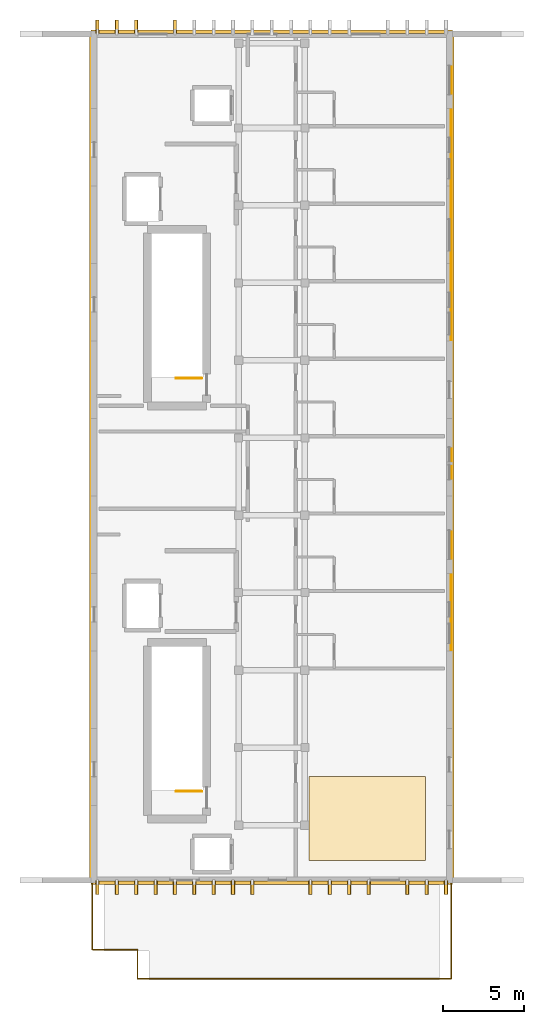
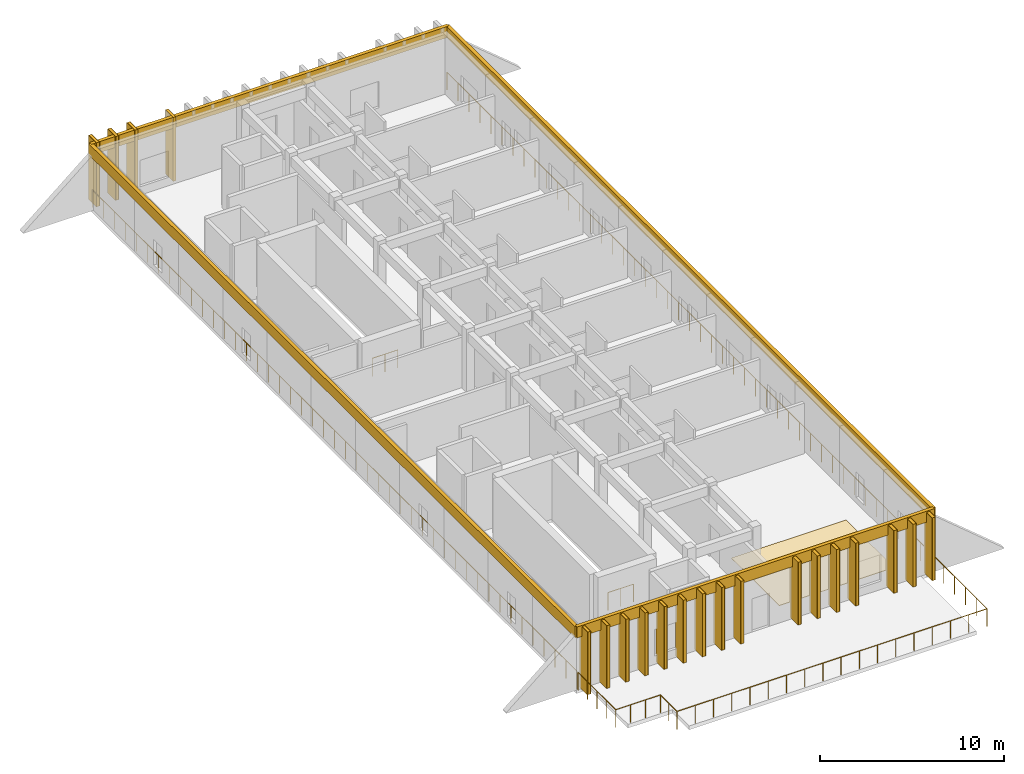
# One storey, part 6 of 7: 24 coverings, 20 shading devices, 5 railings.
"""IFC4 building model written with IfcOpenShell, lengths in metres."""

import ifcopenshell
import ifcopenshell.guid

model = None  # the IFC model being written
_history = None  # IfcOwnerHistory: only IFC2X3 demands one
_inside = {}  # id of a spatial element -> (the spatial element, [elements in it])
_under = {}  # id of a project, library or spatial element -> (it, [spatial elements below it])
_declared = {}  # id of a project -> (the project, [libraries it declares])
_typed = {}  # id of a type object -> (the type object, [elements of that type])
_made_of = {}  # id of a material, layer set ... -> (it, [elements and type objects made of it])


def new_model(schema):
    """Start an empty IFC model of exactly this schema.

    Asked for "IFC4X3", IfcOpenShell would pick the latest addendum, in which some entities
    have other attributes; the version numbers below select the first issue.
    IFC2X3 requires an IfcOwnerHistory on every rooted entity: one is made here for all.
    """
    global model, _history
    if schema == "IFC4X3":
        model = ifcopenshell.file(schema_version=(4, 3, 0, 0))
    else:
        model = ifcopenshell.file(schema=schema)
    _inside.clear()
    _under.clear()
    _declared.clear()
    _typed.clear()
    _made_of.clear()
    _history = None
    if model.schema == "IFC2X3":
        org = make("IfcOrganization", Name="unknown")
        user = make(
            "IfcPersonAndOrganization",
            ThePerson=make("IfcPerson", FamilyName="unknown"),
            TheOrganization=org,
        )
        app = make(
            "IfcApplication",
            ApplicationDeveloper=org,
            Version="unknown",
            ApplicationFullName="unknown",
            ApplicationIdentifier="unknown",
        )
        _history = make(
            "IfcOwnerHistory",
            OwningUser=user,
            OwningApplication=app,
            ChangeAction="ADDED",
            CreationDate=0,
        )
    return model


def make(cls, **values):
    """One entity of the class cls with the attributes given. An attribute that is None is left unset."""
    return model.create_entity(
        cls, **{name: value for name, value in values.items() if value is not None}
    )


def rooted(cls, **values):
    """An entity with a GlobalId (a new one), such as an element, a storey or a relation."""
    return make(cls, GlobalId=ifcopenshell.guid.new(), OwnerHistory=_history, **values)


def si_unit(unit_type, name, prefix=None):
    """IfcSIUnit, for example si_unit("LENGTHUNIT", "METRE", prefix="MILLI")."""
    return make("IfcSIUnit", UnitType=unit_type, Prefix=prefix, Name=name)


def assignment(units):
    """IfcUnitAssignment: the units of a project."""
    return None if units is None else make("IfcUnitAssignment", Units=units)


def point(xyz):
    """IfcCartesianPoint."""
    return None if xyz is None else make("IfcCartesianPoint", Coordinates=xyz)


def direction(xyz):
    """IfcDirection."""
    return None if xyz is None else make("IfcDirection", DirectionRatios=xyz)


def frame(location, z_axis=None, x_axis=None):
    """IfcAxis2Placement3D, a coordinate frame: its origin and axes. An axis left out is left unset."""
    return make(
        "IfcAxis2Placement3D",
        Location=point(location),
        Axis=direction(z_axis),
        RefDirection=direction(x_axis),
    )


def frame_2d(location, x_axis=None):
    """IfcAxis2Placement2D, a coordinate frame in the plane: its origin and x axis."""
    return make(
        "IfcAxis2Placement2D", Location=point(location), RefDirection=direction(x_axis)
    )


def origin():
    """The frame at (0, 0, 0) with its axes left unset."""
    return frame((0.0, 0.0, 0.0))


def origin_2d():
    """The frame at (0, 0) in the plane with its x axis left unset."""
    return frame_2d((0.0, 0.0))


def place(relative_to, where):
    """IfcLocalPlacement: puts the frame where relative to a parent placement (None: the world)."""
    return make(
        "IfcLocalPlacement", PlacementRelTo=relative_to, RelativePlacement=where
    )


def context(
    kind, dimensions, precision=None, world=None, true_north=None, identifier=None
):
    """IfcGeometricRepresentationContext, for example the 3D "Model" context."""
    return make(
        "IfcGeometricRepresentationContext",
        ContextIdentifier=identifier,
        ContextType=kind,
        CoordinateSpaceDimension=dimensions,
        Precision=precision,
        WorldCoordinateSystem=world,
        TrueNorth=true_north,
    )


def subcontext(parent, identifier, kind, view, scale=None):
    """IfcGeometricRepresentationSubContext, for example "Body" below "Model"."""
    return make(
        "IfcGeometricRepresentationSubContext",
        ContextIdentifier=identifier,
        ContextType=kind,
        ParentContext=parent,
        TargetScale=scale,
        TargetView=view,
    )


def project(units=None, contexts=None):
    """IfcProject with its units and contexts."""
    return rooted(
        "IfcProject",
        Name="project",
        RepresentationContexts=contexts,
        UnitsInContext=assignment(units),
    )


def spatial(cls, under=None, at=None, **own):
    """A site, building, storey or space (cls), placed at a placement, below another one or the project."""
    s = rooted(cls, ObjectPlacement=at, **own)
    if under is not None:
        _under.setdefault(under.id(), (under, []))[1].append(s)
    return s


def polyline(points):
    """IfcPolyline through the points."""
    return make("IfcPolyline", Points=[point(p) for p in points])


def profile(cls, at=None, kind="AREA", **sizes):
    """A parametric profile (cls). Its sizes go by their IFC names, for example OverallWidth=200.0."""
    return make(cls, ProfileType=kind, Position=at, **sizes)


def rectangle(**sizes):
    """IfcRectangleProfileDef."""
    return profile("IfcRectangleProfileDef", **sizes)


def circle(**sizes):
    """IfcCircleProfileDef."""
    return profile("IfcCircleProfileDef", **sizes)


def outline(outer, holes=None, kind="AREA"):
    """IfcArbitraryClosedProfileDef: a profile drawn as a closed curve; with holes, ...WithVoids."""
    if holes is None:
        return make("IfcArbitraryClosedProfileDef", ProfileType=kind, OuterCurve=outer)
    return make(
        "IfcArbitraryProfileDefWithVoids",
        ProfileType=kind,
        OuterCurve=outer,
        InnerCurves=holes,
    )


def extrude(swept, where, along, depth):
    """IfcExtrudedAreaSolid: the profile swept, set in the frame where, extruded along a direction by depth."""
    return make(
        "IfcExtrudedAreaSolid",
        SweptArea=swept,
        Position=where,
        ExtrudedDirection=direction(along),
        Depth=depth,
    )


def shape(context_of_items, identifier, shape_type, items):
    """IfcShapeRepresentation: the items that make up one representation, for example the "Body"."""
    return make(
        "IfcShapeRepresentation",
        ContextOfItems=context_of_items,
        RepresentationIdentifier=identifier,
        RepresentationType=shape_type,
        Items=items,
    )


def material(Name=None, Category=None):
    """IfcMaterial."""
    return make("IfcMaterial", Name=Name, Category=Category)


def layer(
    of_material, thickness, ventilated=None, Name=None, Category=None, Priority=None
):
    """IfcMaterialLayer: one layer of a wall or slab, of a material (None: an air gap)."""
    return make(
        "IfcMaterialLayer",
        Material=of_material,
        LayerThickness=thickness,
        IsVentilated=ventilated,
        Name=Name,
        Category=Category,
        Priority=Priority,
    )


def layer_set(layers, Name=None):
    """IfcMaterialLayerSet."""
    return make("IfcMaterialLayerSet", MaterialLayers=layers, LayerSetName=Name)


def made_of(thing, what):
    """Note that an element or type object is made of a material, layer set ...; save() writes the relation."""
    if what is not None:
        _made_of.setdefault(what.id(), (what, []))[1].append(thing)
    return thing


def type_object(cls, material=None, **own):
    """A type object (cls), such as IfcWallType, which elements share."""
    return made_of(rooted(cls, **own), material)


def element(
    cls,
    number,
    at=None,
    inside=None,
    cuts=None,
    type_object=None,
    material=None,
    context=None,
    identifier="Body",
    shape_type=None,
    held_by="IfcProductDefinitionShape",
    body=None,
    shapes=None,
    **own,
):
    """One element of the class cls, such as IfcWall. Its Tag is "e" and its number.

    at: its placement. inside: the storey or other place that contains it. cuts: it is an
    opening in that element (IfcRelVoidsElement). A single representation is given by context,
    identifier, shape_type and body (its items); several are given by shapes. held_by: the class
    of the entity that holds the representations. save() writes the other relations.
    """
    e = rooted(cls, Tag="e%d" % number, ObjectPlacement=at, **own)
    if body is not None:
        shapes = [shape(context, identifier, shape_type, body)]
    if shapes is not None:
        e.Representation = make(held_by, Representations=shapes)
    if inside is not None:
        _inside.setdefault(inside.id(), (inside, []))[1].append(e)
    if cuts is not None:
        rooted(
            "IfcRelVoidsElement", RelatingBuildingElement=cuts, RelatedOpeningElement=e
        )
    if type_object is not None:
        _typed.setdefault(type_object.id(), (type_object, []))[1].append(e)
    return made_of(e, material)


def aggregate(whole, parts):
    """IfcRelAggregates: a whole, such as a stair, and the parts it consists of."""
    return rooted("IfcRelAggregates", RelatingObject=whole, RelatedObjects=parts)


def save(model, path):
    """Write the relations noted so far, then the file.

    IfcRelAggregates (storeys below a building ...), IfcRelContainedInSpatialStructure (elements
    in a storey), IfcRelDefinesByType, IfcRelAssociatesMaterial and IfcRelDeclares: one each for
    every whole, place, type object, material and project.
    """
    for whole, parts in _under.values():
        aggregate(whole, parts)
    for where, things in _inside.values():
        rooted(
            "IfcRelContainedInSpatialStructure",
            RelatedElements=things,
            RelatingStructure=where,
        )
    for kind, things in _typed.values():
        rooted("IfcRelDefinesByType", RelatedObjects=things, RelatingType=kind)
    for what, things in _made_of.values():
        rooted("IfcRelAssociatesMaterial", RelatedObjects=things, RelatingMaterial=what)
    for by, libraries in _declared.values():
        rooted("IfcRelDeclares", RelatingContext=by, RelatedDefinitions=libraries)
    model.write(path)


model = new_model("IFC4")

# Units and contexts
model_context = context("Model", 3, precision=1e-05, world=origin(), true_north=direction((0.0, 1.0)))
body_context = subcontext(model_context, "Body", "Model", "MODEL_VIEW")
ifc_project = project(units=[si_unit("LENGTHUNIT", "METRE"), si_unit("AREAUNIT", "SQUARE_METRE"), si_unit("VOLUMEUNIT", "CUBIC_METRE"), si_unit("PLANEANGLEUNIT", "RADIAN"), si_unit("MASSUNIT", "GRAM", prefix="KILO")], contexts=[model_context])

# Site, building, storey
site_placement = place(None, origin())
site = spatial("IfcSite", under=ifc_project, at=site_placement, CompositionType="ELEMENT")
building_placement = place(site_placement, origin())
building = spatial("IfcBuilding", under=site, at=building_placement, Name="Nakhvara Creek Congress Hotel", CompositionType="ELEMENT")
storey_placement = place(building_placement, frame((0.0, 0.0, 50.39990234375)))
storey = spatial("IfcBuildingStorey", under=building, at=storey_placement, Name="L12", CompositionType="ELEMENT", Elevation=50.39990234375)

# Coverings
ifc_material_1 = material(Name="Honed pale Omani limestone architectural cladding", Category="masonry")
ifc_layer_1 = layer(ifc_material_1, 0.219970703125)
ifc_layer_set_1 = layer_set([ifc_layer_1], Name="Honed pale Omani limestone architectural cladding")
covering_type_1 = type_object("IfcCoveringType", Name="COV-FIN-850", PredefinedType="CLADDING", material=ifc_layer_set_1)
covering_1_placement = place(storey_placement, frame((153.60009765625, 126.264892578125, 0.0), z_axis=(0.0, 0.0, 1.0), x_axis=(1.0, 0.0, 0.0)))
element("IfcCovering", 1, at=covering_1_placement, inside=storey, type_object=covering_type_1, Name="Pale Limestone Fin Cladding CF01-2579", PredefinedType="CLADDING", context=body_context, shape_type="SweptSolid", body=[
    extrude(rectangle(XDim=0.219970703125, YDim=0.85009765625, at=origin_2d()), origin(), (0.0, 0.0, 1.0), 4.239990234375),
])
covering_2_placement = place(storey_placement, frame((153.60009765625, 72.93505859375, 0.0), z_axis=(0.0, 0.0, 1.0), x_axis=(1.0, 0.0, 0.0)))
element("IfcCovering", 2, at=covering_2_placement, inside=storey, type_object=covering_type_1, Name="Pale Limestone Fin Cladding CF01-2580", PredefinedType="CLADDING", context=body_context, shape_type="SweptSolid", body=[
    extrude(rectangle(XDim=0.219970703125, YDim=0.85009765625, at=origin_2d()), origin(), (0.0, 0.0, 1.0), 4.159912109375),
])
covering_3_placement = place(storey_placement, frame((154.800048828125, 126.264892578125, 0.0), z_axis=(0.0, 0.0, 1.0), x_axis=(1.0, 0.0, 0.0)))
element("IfcCovering", 3, at=covering_3_placement, inside=storey, type_object=covering_type_1, Name="Pale Limestone Fin Cladding CF01-2581", PredefinedType="CLADDING", context=body_context, shape_type="SweptSolid", body=[
    extrude(rectangle(XDim=0.219970703125, YDim=0.85009765625, at=origin_2d()), origin(), (0.0, 0.0, 1.0), 4.239990234375),
])
covering_4_placement = place(storey_placement, frame((154.800048828125, 72.93505859375, 0.0), z_axis=(0.0, 0.0, 1.0), x_axis=(1.0, 0.0, 0.0)))
element("IfcCovering", 4, at=covering_4_placement, inside=storey, type_object=covering_type_1, Name="Pale Limestone Fin Cladding CF01-2582", PredefinedType="CLADDING", context=body_context, shape_type="SweptSolid", body=[
    extrude(rectangle(XDim=0.219970703125, YDim=0.85009765625, at=origin_2d()), origin(), (0.0, 0.0, 1.0), 4.159912109375),
])
covering_5_placement = place(storey_placement, frame((156.0, 126.264892578125, 0.0), z_axis=(0.0, 0.0, 1.0), x_axis=(1.0, 0.0, 0.0)))
element("IfcCovering", 5, at=covering_5_placement, inside=storey, type_object=covering_type_1, Name="Pale Limestone Fin Cladding CF01-2583", PredefinedType="CLADDING", context=body_context, shape_type="SweptSolid", body=[
    extrude(rectangle(XDim=0.219970703125, YDim=0.85009765625, at=origin_2d()), origin(), (0.0, 0.0, 1.0), 4.239990234375),
])
for number, where, z_axis, x_axis, name in (
    (6, (156.0, 72.93505859375, 0.0), (0.0, 0.0, 1.0), (1.0, 0.0, 0.0), "Pale Limestone Fin Cladding CF01-2584"),
    (7, (157.199951171875, 72.93505859375, 0.0), (0.0, 0.0, 1.0), (1.0, 0.0, 0.0), "Pale Limestone Fin Cladding CF01-2585"),
    (8, (158.39990234375, 72.93505859375, 0.0), (0.0, 0.0, 1.0), (1.0, 0.0, 0.0), "Pale Limestone Fin Cladding CF01-2587"),
    (9, (159.60009765625, 72.93505859375, 0.0), (0.0, 0.0, 1.0), (1.0, 0.0, 0.0), "Pale Limestone Fin Cladding CF01-2589"),
    (10, (160.800048828125, 72.93505859375, 0.0), (0.0, 0.0, 1.0), (1.0, 0.0, 0.0), "Pale Limestone Fin Cladding CF01-2591"),
    (11, (162.0, 72.93505859375, 0.0), (0.0, 0.0, 1.0), (1.0, 0.0, 0.0), "Pale Limestone Fin Cladding CF01-2593"),
    (12, (163.199951171875, 72.93505859375, 0.0), (0.0, 0.0, 1.0), (1.0, 0.0, 0.0), "Pale Limestone Fin Cladding CF01-2595"),
    (13, (166.800048828125, 72.93505859375, 0.0), (0.0, 0.0, 1.0), (1.0, 0.0, 0.0), "Pale Limestone Fin Cladding CF01-2599"),
    (14, (168.0, 72.93505859375, 0.0), (0.0, 0.0, 1.0), (1.0, 0.0, 0.0), "Pale Limestone Fin Cladding CF01-2601"),
    (15, (169.199951171875, 72.93505859375, 0.0), (0.0, 0.0, 1.0), (1.0, 0.0, 0.0), "Pale Limestone Fin Cladding CF01-2603"),
    (16, (170.39990234375, 72.93505859375, 0.0), (0.0, 0.0, 1.0), (1.0, 0.0, 0.0), "Pale Limestone Fin Cladding CF01-2604"),
    (17, (172.800048828125, 72.93505859375, 0.0), (0.0, 0.0, 1.0), (1.0, 0.0, 0.0), "Pale Limestone Fin Cladding CF01-2607"),
    (18, (174.0, 72.93505859375, 0.0), (0.0, 0.0, 1.0), (1.0, 0.0, 0.0), "Pale Limestone Fin Cladding CF01-2609"),
    (19, (175.199951171875, 72.93505859375, 0.0), (0.0, 0.0, 1.0), (1.0, 0.0, 0.0), "Pale Limestone Fin Cladding CF01-2611"),
):
    element("IfcCovering", number, at=place(storey_placement, frame(where, z_axis=z_axis, x_axis=x_axis)), inside=storey, type_object=covering_type_1, Name=name, PredefinedType="CLADDING", context=body_context, shape_type="SweptSolid", body=[
        extrude(rectangle(XDim=0.219970703125, YDim=0.85009765625, at=origin_2d()), origin(), (0.0, 0.0, 1.0), 4.159912109375),
    ])
ifc_material_2 = material(Name="Honed limestone and terrazzo acoustic floor finish", Category="masonry")
ifc_layer_2 = layer(ifc_material_2, 0.044921875)
ifc_layer_set_2 = layer_set([ifc_layer_2], Name="Honed limestone and terrazzo acoustic floor finish")
covering_type_2 = type_object("IfcCoveringType", Name="COV-FLR-TER", PredefinedType="FLOORING", material=ifc_layer_set_2)
covering_6_placement = place(storey_placement, origin())
element("IfcCovering", 20, at=covering_6_placement, inside=storey, type_object=covering_type_2, Name="Floor Finish L12-LNG-01", PredefinedType="FLOORING", context=body_context, shape_type="SweptSolid", body=[
    extrude(outline(polyline([(166.719970703125, 74.60009765625), (173.919921875, 74.60009765625), (173.919921875, 79.800048828125), (166.719970703125, 79.800048828125), (166.719970703125, 74.60009765625)])), origin(), (0.0, 0.0, 1.0), 0.030029296875),
])
ifc_layer_3 = layer(ifc_material_1, 0.179931640625)
ifc_layer_set_3 = layer_set([ifc_layer_3], Name="Honed pale Omani limestone architectural cladding")
covering_type_3 = type_object("IfcCoveringType", Name="COV-SPN-180", PredefinedType="CLADDING", material=ifc_layer_set_3)
for number, where, z_axis, x_axis, name in (
    (21, (175.590087890625, 99.60009765625, 3.510009765625), (0.0, 0.0, 1.0), (0.0, 1.0, 0.0), "Pale Limestone Spandrel Band CF02-0089"),
    (22, (153.2099609375, 99.60009765625, 3.510009765625), (0.0, 0.0, 1.0), (0.0, 1.0, 0.0), "Pale Limestone Spandrel Band CF02-0090"),
):
    element("IfcCovering", number, at=place(storey_placement, frame(where, z_axis=z_axis, x_axis=x_axis)), inside=storey, type_object=covering_type_3, Name=name, PredefinedType="CLADDING", context=body_context, shape_type="SweptSolid", body=[
        extrude(rectangle(XDim=52.800048828125, YDim=0.219970703125, at=origin_2d()), origin(), (0.0, 0.0, 1.0), 0.72998046875),
    ])
for number, where, z_axis, x_axis, name in (
    (23, (164.39990234375, 125.969970703125, 3.510009765625), (0.0, 0.0, 1.0), (1.0, 0.0, 0.0), "Pale Limestone Spandrel Band CF02-0091"),
    (24, (164.39990234375, 73.22998046875, 3.510009765625), (0.0, 0.0, 1.0), (1.0, 0.0, 0.0), "Pale Limestone Spandrel Band CF02-0092"),
):
    element("IfcCovering", number, at=place(storey_placement, frame(where, z_axis=z_axis, x_axis=x_axis)), inside=storey, type_object=covering_type_3, Name=name, PredefinedType="CLADDING", context=body_context, shape_type="SweptSolid", body=[
        extrude(rectangle(XDim=22.39990234375, YDim=0.219970703125, at=origin_2d()), origin(), (0.0, 0.0, 1.0), 0.72998046875),
    ])

# Railings
ifc_material_3 = material(Name="Bronze-anodised aluminium and laminated safety glass balustrade", Category="aluminium")
railing_type_1 = type_object("IfcRailingType", Name="RL-BALUS-1200", PredefinedType="BALUSTRADE", material=ifc_material_3)
railing_1_placement = place(storey_placement, frame((153.280029296875, 73.159912109375, 0.0)))
element("IfcRailing", 25, at=railing_1_placement, inside=storey, type_object=railing_type_1, Name="Terrace Balustrade GR02-L12-010", PredefinedType="BALUSTRADE", context=body_context, shape_type="SweptSolid", body=[
    extrude(circle(Radius=0.02392578125, at=origin_2d()), frame((0.0, -0.0146484375, 1.17578125), z_axis=(0.0, -1.0, 0.0), x_axis=(1.0, 0.0, 0.0)), (0.0, 0.0, 1.0), 4.050537109375),
    extrude(circle(Radius=0.02392578125, at=origin_2d()), frame((0.0146484375, -4.079833984375, 1.17578125), z_axis=(1.0, 0.0, 0.0), x_axis=(0.0, 1.0, 0.0)), (0.0, 0.0, 1.0), 2.770751953125),
    extrude(circle(Radius=0.02392578125, at=origin_2d()), frame((2.800048828125, -4.094482421875, 1.17578125), z_axis=(0.0, -1.0, 0.0), x_axis=(1.0, 0.0, 0.0)), (0.0, 0.0, 1.0), 1.770751953125),
    extrude(circle(Radius=0.02392578125, at=origin_2d()), frame((2.814697265625, -5.8798828125, 1.17578125), z_axis=(1.0, 0.0, 0.0), x_axis=(0.0, 1.0, 0.0)), (0.0, 0.0, 1.0), 19.41064453125),
    extrude(circle(Radius=0.02392578125, at=origin_2d()), frame((22.239990234375, -5.865234375, 1.17578125), z_axis=(0.0, 1.0, 0.0), x_axis=(-1.0, 0.0, 0.0)), (0.0, 0.0, 1.0), 5.8505859375),
    extrude(circle(Radius=0.02099609375, at=origin_2d()), origin(), (0.0, 0.0, 1.0), 1.1806640625),
    extrude(circle(Radius=0.02099609375, at=origin_2d()), frame((0.0, -1.02001953125, 0.0)), (0.0, 0.0, 1.0), 1.1806640625),
    extrude(circle(Radius=0.02099609375, at=origin_2d()), frame((0.0, -2.0400390625, 0.0)), (0.0, 0.0, 1.0), 1.1806640625),
    extrude(circle(Radius=0.02099609375, at=origin_2d()), frame((0.0, -3.059814453125, 0.0)), (0.0, 0.0, 1.0), 1.1806640625),
    extrude(circle(Radius=0.02099609375, at=origin_2d()), frame((0.0, -4.079833984375, 0.0)), (0.0, 0.0, 1.0), 1.1806640625),
    extrude(circle(Radius=0.02099609375, at=origin_2d()), frame((0.933349609375, -4.079833984375, 0.0)), (0.0, 0.0, 1.0), 1.1806640625),
    extrude(circle(Radius=0.02099609375, at=origin_2d()), frame((1.86669921875, -4.079833984375, 0.0)), (0.0, 0.0, 1.0), 1.1806640625),
    extrude(circle(Radius=0.02099609375, at=origin_2d()), frame((2.800048828125, -4.079833984375, 0.0)), (0.0, 0.0, 1.0), 1.1806640625),
    extrude(circle(Radius=0.02099609375, at=origin_2d()), frame((2.800048828125, -4.97998046875, 0.0)), (0.0, 0.0, 1.0), 1.1806640625),
    extrude(circle(Radius=0.02099609375, at=origin_2d()), frame((2.800048828125, -5.8798828125, 0.0)), (0.0, 0.0, 1.0), 1.1806640625),
    extrude(circle(Radius=0.02099609375, at=origin_2d()), frame((3.943603515625, -5.8798828125, 0.0)), (0.0, 0.0, 1.0), 1.1806640625),
    extrude(circle(Radius=0.02099609375, at=origin_2d()), frame((5.087158203125, -5.8798828125, 0.0)), (0.0, 0.0, 1.0), 1.1806640625),
    extrude(circle(Radius=0.02099609375, at=origin_2d()), frame((6.230712890625, -5.8798828125, 0.0)), (0.0, 0.0, 1.0), 1.1806640625),
    extrude(circle(Radius=0.02099609375, at=origin_2d()), frame((7.374267578125, -5.8798828125, 0.0)), (0.0, 0.0, 1.0), 1.1806640625),
    extrude(circle(Radius=0.02099609375, at=origin_2d()), frame((8.517578125, -5.8798828125, 0.0)), (0.0, 0.0, 1.0), 1.1806640625),
    extrude(circle(Radius=0.02099609375, at=origin_2d()), frame((9.6611328125, -5.8798828125, 0.0)), (0.0, 0.0, 1.0), 1.1806640625),
    extrude(circle(Radius=0.02099609375, at=origin_2d()), frame((10.8046875, -5.8798828125, 0.0)), (0.0, 0.0, 1.0), 1.1806640625),
    extrude(circle(Radius=0.02099609375, at=origin_2d()), frame((11.9482421875, -5.8798828125, 0.0)), (0.0, 0.0, 1.0), 1.1806640625),
    extrude(circle(Radius=0.02099609375, at=origin_2d()), frame((13.091796875, -5.8798828125, 0.0)), (0.0, 0.0, 1.0), 1.1806640625),
    extrude(circle(Radius=0.02099609375, at=origin_2d()), frame((14.2353515625, -5.8798828125, 0.0)), (0.0, 0.0, 1.0), 1.1806640625),
    extrude(circle(Radius=0.02099609375, at=origin_2d()), frame((15.37890625, -5.8798828125, 0.0)), (0.0, 0.0, 1.0), 1.1806640625),
    extrude(circle(Radius=0.02099609375, at=origin_2d()), frame((16.5224609375, -5.8798828125, 0.0)), (0.0, 0.0, 1.0), 1.1806640625),
    extrude(circle(Radius=0.02099609375, at=origin_2d()), frame((17.665771484375, -5.8798828125, 0.0)), (0.0, 0.0, 1.0), 1.1806640625),
    extrude(circle(Radius=0.02099609375, at=origin_2d()), frame((18.809326171875, -5.8798828125, 0.0)), (0.0, 0.0, 1.0), 1.1806640625),
    extrude(circle(Radius=0.02099609375, at=origin_2d()), frame((19.952880859375, -5.8798828125, 0.0)), (0.0, 0.0, 1.0), 1.1806640625),
    extrude(circle(Radius=0.02099609375, at=origin_2d()), frame((21.096435546875, -5.8798828125, 0.0)), (0.0, 0.0, 1.0), 1.1806640625),
    extrude(circle(Radius=0.02099609375, at=origin_2d()), frame((22.239990234375, -5.8798828125, 0.0)), (0.0, 0.0, 1.0), 1.1806640625),
    extrude(circle(Radius=0.02099609375, at=origin_2d()), frame((22.239990234375, -4.703857421875, 0.0)), (0.0, 0.0, 1.0), 1.1806640625),
    extrude(circle(Radius=0.02099609375, at=origin_2d()), frame((22.239990234375, -3.52783203125, 0.0)), (0.0, 0.0, 1.0), 1.1806640625),
    extrude(circle(Radius=0.02099609375, at=origin_2d()), frame((22.239990234375, -2.35205078125, 0.0)), (0.0, 0.0, 1.0), 1.1806640625),
    extrude(circle(Radius=0.02099609375, at=origin_2d()), frame((22.239990234375, -1.176025390625, 0.0)), (0.0, 0.0, 1.0), 1.1806640625),
    extrude(circle(Radius=0.02099609375, at=origin_2d()), frame((22.239990234375, 0.0, 0.0)), (0.0, 0.0, 1.0), 1.1806640625),
])
ifc_material_4 = material(Name="Brushed stainless steel 316L", Category="steel")
railing_type_2 = type_object("IfcRailingType", Name="RL-GUARD-1200", PredefinedType="GUARDRAIL", material=ifc_material_4)
railing_2_placement = place(storey_placement, frame((175.52001953125, 73.280029296875, 0.0)))
element("IfcRailing", 26, at=railing_2_placement, inside=storey, type_object=railing_type_2, Name="Perimeter Safety Rail East L12", PredefinedType="GUARDRAIL", context=body_context, shape_type="SweptSolid", body=[
    extrude(circle(Radius=0.02392578125, at=origin_2d()), frame((0.0, 0.0146484375, 1.17578125), z_axis=(0.0, 1.0, 0.0), x_axis=(-1.0, 0.0, 0.0)), (0.0, 0.0, 1.0), 52.610595703125),
    extrude(circle(Radius=0.02099609375, at=origin_2d()), origin(), (0.0, 0.0, 1.0), 1.1806640625),
    extrude(circle(Radius=0.02099609375, at=origin_2d()), frame((0.0, 1.1962890625, 0.0)), (0.0, 0.0, 1.0), 1.1806640625),
    extrude(circle(Radius=0.02099609375, at=origin_2d()), frame((0.0, 2.392822265625, 0.0)), (0.0, 0.0, 1.0), 1.1806640625),
    extrude(circle(Radius=0.02099609375, at=origin_2d()), frame((0.0, 3.589111328125, 0.0)), (0.0, 0.0, 1.0), 1.1806640625),
    extrude(circle(Radius=0.02099609375, at=origin_2d()), frame((0.0, 4.785400390625, 0.0)), (0.0, 0.0, 1.0), 1.1806640625),
    extrude(circle(Radius=0.02099609375, at=origin_2d()), frame((0.0, 5.981689453125, 0.0)), (0.0, 0.0, 1.0), 1.1806640625),
    extrude(circle(Radius=0.02099609375, at=origin_2d()), frame((0.0, 7.17822265625, 0.0)), (0.0, 0.0, 1.0), 1.1806640625),
    extrude(circle(Radius=0.02099609375, at=origin_2d()), frame((0.0, 8.37451171875, 0.0)), (0.0, 0.0, 1.0), 1.1806640625),
    extrude(circle(Radius=0.02099609375, at=origin_2d()), frame((0.0, 9.57080078125, 0.0)), (0.0, 0.0, 1.0), 1.1806640625),
    extrude(circle(Radius=0.02099609375, at=origin_2d()), frame((0.0, 10.767333984375, 0.0)), (0.0, 0.0, 1.0), 1.1806640625),
    extrude(circle(Radius=0.02099609375, at=origin_2d()), frame((0.0, 11.963623046875, 0.0)), (0.0, 0.0, 1.0), 1.1806640625),
    extrude(circle(Radius=0.02099609375, at=origin_2d()), frame((0.0, 13.159912109375, 0.0)), (0.0, 0.0, 1.0), 1.1806640625),
    extrude(circle(Radius=0.02099609375, at=origin_2d()), frame((0.0, 14.3564453125, 0.0)), (0.0, 0.0, 1.0), 1.1806640625),
    extrude(circle(Radius=0.02099609375, at=origin_2d()), frame((0.0, 15.552734375, 0.0)), (0.0, 0.0, 1.0), 1.1806640625),
    extrude(circle(Radius=0.02099609375, at=origin_2d()), frame((0.0, 16.7490234375, 0.0)), (0.0, 0.0, 1.0), 1.1806640625),
    extrude(circle(Radius=0.02099609375, at=origin_2d()), frame((0.0, 17.9453125, 0.0)), (0.0, 0.0, 1.0), 1.1806640625),
    extrude(circle(Radius=0.02099609375, at=origin_2d()), frame((0.0, 19.141845703125, 0.0)), (0.0, 0.0, 1.0), 1.1806640625),
    extrude(circle(Radius=0.02099609375, at=origin_2d()), frame((0.0, 20.338134765625, 0.0)), (0.0, 0.0, 1.0), 1.1806640625),
    extrude(circle(Radius=0.02099609375, at=origin_2d()), frame((0.0, 21.534423828125, 0.0)), (0.0, 0.0, 1.0), 1.1806640625),
    extrude(circle(Radius=0.02099609375, at=origin_2d()), frame((0.0, 22.73095703125, 0.0)), (0.0, 0.0, 1.0), 1.1806640625),
    extrude(circle(Radius=0.02099609375, at=origin_2d()), frame((0.0, 23.92724609375, 0.0)), (0.0, 0.0, 1.0), 1.1806640625),
    extrude(circle(Radius=0.02099609375, at=origin_2d()), frame((0.0, 25.12353515625, 0.0)), (0.0, 0.0, 1.0), 1.1806640625),
    extrude(circle(Radius=0.02099609375, at=origin_2d()), frame((0.0, 26.31982421875, 0.0)), (0.0, 0.0, 1.0), 1.1806640625),
    extrude(circle(Radius=0.02099609375, at=origin_2d()), frame((0.0, 27.516357421875, 0.0)), (0.0, 0.0, 1.0), 1.1806640625),
    extrude(circle(Radius=0.02099609375, at=origin_2d()), frame((0.0, 28.712646484375, 0.0)), (0.0, 0.0, 1.0), 1.1806640625),
    extrude(circle(Radius=0.02099609375, at=origin_2d()), frame((0.0, 29.908935546875, 0.0)), (0.0, 0.0, 1.0), 1.1806640625),
    extrude(circle(Radius=0.02099609375, at=origin_2d()), frame((0.0, 31.10546875, 0.0)), (0.0, 0.0, 1.0), 1.1806640625),
    extrude(circle(Radius=0.02099609375, at=origin_2d()), frame((0.0, 32.3017578125, 0.0)), (0.0, 0.0, 1.0), 1.1806640625),
    extrude(circle(Radius=0.02099609375, at=origin_2d()), frame((0.0, 33.498046875, 0.0)), (0.0, 0.0, 1.0), 1.1806640625),
    extrude(circle(Radius=0.02099609375, at=origin_2d()), frame((0.0, 34.694580078125, 0.0)), (0.0, 0.0, 1.0), 1.1806640625),
    extrude(circle(Radius=0.02099609375, at=origin_2d()), frame((0.0, 35.890869140625, 0.0)), (0.0, 0.0, 1.0), 1.1806640625),
    extrude(circle(Radius=0.02099609375, at=origin_2d()), frame((0.0, 37.087158203125, 0.0)), (0.0, 0.0, 1.0), 1.1806640625),
    extrude(circle(Radius=0.02099609375, at=origin_2d()), frame((0.0, 38.283447265625, 0.0)), (0.0, 0.0, 1.0), 1.1806640625),
    extrude(circle(Radius=0.02099609375, at=origin_2d()), frame((0.0, 39.47998046875, 0.0)), (0.0, 0.0, 1.0), 1.1806640625),
    extrude(circle(Radius=0.02099609375, at=origin_2d()), frame((0.0, 40.67626953125, 0.0)), (0.0, 0.0, 1.0), 1.1806640625),
    extrude(circle(Radius=0.02099609375, at=origin_2d()), frame((0.0, 41.87255859375, 0.0)), (0.0, 0.0, 1.0), 1.1806640625),
    extrude(circle(Radius=0.02099609375, at=origin_2d()), frame((0.0, 43.069091796875, 0.0)), (0.0, 0.0, 1.0), 1.1806640625),
    extrude(circle(Radius=0.02099609375, at=origin_2d()), frame((0.0, 44.265380859375, 0.0)), (0.0, 0.0, 1.0), 1.1806640625),
    extrude(circle(Radius=0.02099609375, at=origin_2d()), frame((0.0, 45.461669921875, 0.0)), (0.0, 0.0, 1.0), 1.1806640625),
    extrude(circle(Radius=0.02099609375, at=origin_2d()), frame((0.0, 46.658203125, 0.0)), (0.0, 0.0, 1.0), 1.1806640625),
    extrude(circle(Radius=0.02099609375, at=origin_2d()), frame((0.0, 47.8544921875, 0.0)), (0.0, 0.0, 1.0), 1.1806640625),
    extrude(circle(Radius=0.02099609375, at=origin_2d()), frame((0.0, 49.05078125, 0.0)), (0.0, 0.0, 1.0), 1.1806640625),
    extrude(circle(Radius=0.02099609375, at=origin_2d()), frame((0.0, 50.2470703125, 0.0)), (0.0, 0.0, 1.0), 1.1806640625),
    extrude(circle(Radius=0.02099609375, at=origin_2d()), frame((0.0, 51.443603515625, 0.0)), (0.0, 0.0, 1.0), 1.1806640625),
    extrude(circle(Radius=0.02099609375, at=origin_2d()), frame((0.0, 52.639892578125, 0.0)), (0.0, 0.0, 1.0), 1.1806640625),
])
railing_3_placement = place(storey_placement, frame((153.280029296875, 73.280029296875, 0.0)))
element("IfcRailing", 27, at=railing_3_placement, inside=storey, type_object=railing_type_2, Name="Perimeter Safety Rail West L12", PredefinedType="GUARDRAIL", context=body_context, shape_type="SweptSolid", body=[
    extrude(circle(Radius=0.02392578125, at=origin_2d()), frame((0.0, 0.0146484375, 1.17578125), z_axis=(0.0, 1.0, 0.0), x_axis=(-1.0, 0.0, 0.0)), (0.0, 0.0, 1.0), 52.610595703125),
    extrude(circle(Radius=0.02099609375, at=origin_2d()), origin(), (0.0, 0.0, 1.0), 1.1806640625),
    extrude(circle(Radius=0.02099609375, at=origin_2d()), frame((0.0, 1.1962890625, 0.0)), (0.0, 0.0, 1.0), 1.1806640625),
    extrude(circle(Radius=0.02099609375, at=origin_2d()), frame((0.0, 2.392822265625, 0.0)), (0.0, 0.0, 1.0), 1.1806640625),
    extrude(circle(Radius=0.02099609375, at=origin_2d()), frame((0.0, 3.589111328125, 0.0)), (0.0, 0.0, 1.0), 1.1806640625),
    extrude(circle(Radius=0.02099609375, at=origin_2d()), frame((0.0, 4.785400390625, 0.0)), (0.0, 0.0, 1.0), 1.1806640625),
    extrude(circle(Radius=0.02099609375, at=origin_2d()), frame((0.0, 5.981689453125, 0.0)), (0.0, 0.0, 1.0), 1.1806640625),
    extrude(circle(Radius=0.02099609375, at=origin_2d()), frame((0.0, 7.17822265625, 0.0)), (0.0, 0.0, 1.0), 1.1806640625),
    extrude(circle(Radius=0.02099609375, at=origin_2d()), frame((0.0, 8.37451171875, 0.0)), (0.0, 0.0, 1.0), 1.1806640625),
    extrude(circle(Radius=0.02099609375, at=origin_2d()), frame((0.0, 9.57080078125, 0.0)), (0.0, 0.0, 1.0), 1.1806640625),
    extrude(circle(Radius=0.02099609375, at=origin_2d()), frame((0.0, 10.767333984375, 0.0)), (0.0, 0.0, 1.0), 1.1806640625),
    extrude(circle(Radius=0.02099609375, at=origin_2d()), frame((0.0, 11.963623046875, 0.0)), (0.0, 0.0, 1.0), 1.1806640625),
    extrude(circle(Radius=0.02099609375, at=origin_2d()), frame((0.0, 13.159912109375, 0.0)), (0.0, 0.0, 1.0), 1.1806640625),
    extrude(circle(Radius=0.02099609375, at=origin_2d()), frame((0.0, 14.3564453125, 0.0)), (0.0, 0.0, 1.0), 1.1806640625),
    extrude(circle(Radius=0.02099609375, at=origin_2d()), frame((0.0, 15.552734375, 0.0)), (0.0, 0.0, 1.0), 1.1806640625),
    extrude(circle(Radius=0.02099609375, at=origin_2d()), frame((0.0, 16.7490234375, 0.0)), (0.0, 0.0, 1.0), 1.1806640625),
    extrude(circle(Radius=0.02099609375, at=origin_2d()), frame((0.0, 17.9453125, 0.0)), (0.0, 0.0, 1.0), 1.1806640625),
    extrude(circle(Radius=0.02099609375, at=origin_2d()), frame((0.0, 19.141845703125, 0.0)), (0.0, 0.0, 1.0), 1.1806640625),
    extrude(circle(Radius=0.02099609375, at=origin_2d()), frame((0.0, 20.338134765625, 0.0)), (0.0, 0.0, 1.0), 1.1806640625),
    extrude(circle(Radius=0.02099609375, at=origin_2d()), frame((0.0, 21.534423828125, 0.0)), (0.0, 0.0, 1.0), 1.1806640625),
    extrude(circle(Radius=0.02099609375, at=origin_2d()), frame((0.0, 22.73095703125, 0.0)), (0.0, 0.0, 1.0), 1.1806640625),
    extrude(circle(Radius=0.02099609375, at=origin_2d()), frame((0.0, 23.92724609375, 0.0)), (0.0, 0.0, 1.0), 1.1806640625),
    extrude(circle(Radius=0.02099609375, at=origin_2d()), frame((0.0, 25.12353515625, 0.0)), (0.0, 0.0, 1.0), 1.1806640625),
    extrude(circle(Radius=0.02099609375, at=origin_2d()), frame((0.0, 26.31982421875, 0.0)), (0.0, 0.0, 1.0), 1.1806640625),
    extrude(circle(Radius=0.02099609375, at=origin_2d()), frame((0.0, 27.516357421875, 0.0)), (0.0, 0.0, 1.0), 1.1806640625),
    extrude(circle(Radius=0.02099609375, at=origin_2d()), frame((0.0, 28.712646484375, 0.0)), (0.0, 0.0, 1.0), 1.1806640625),
    extrude(circle(Radius=0.02099609375, at=origin_2d()), frame((0.0, 29.908935546875, 0.0)), (0.0, 0.0, 1.0), 1.1806640625),
    extrude(circle(Radius=0.02099609375, at=origin_2d()), frame((0.0, 31.10546875, 0.0)), (0.0, 0.0, 1.0), 1.1806640625),
    extrude(circle(Radius=0.02099609375, at=origin_2d()), frame((0.0, 32.3017578125, 0.0)), (0.0, 0.0, 1.0), 1.1806640625),
    extrude(circle(Radius=0.02099609375, at=origin_2d()), frame((0.0, 33.498046875, 0.0)), (0.0, 0.0, 1.0), 1.1806640625),
    extrude(circle(Radius=0.02099609375, at=origin_2d()), frame((0.0, 34.694580078125, 0.0)), (0.0, 0.0, 1.0), 1.1806640625),
    extrude(circle(Radius=0.02099609375, at=origin_2d()), frame((0.0, 35.890869140625, 0.0)), (0.0, 0.0, 1.0), 1.1806640625),
    extrude(circle(Radius=0.02099609375, at=origin_2d()), frame((0.0, 37.087158203125, 0.0)), (0.0, 0.0, 1.0), 1.1806640625),
    extrude(circle(Radius=0.02099609375, at=origin_2d()), frame((0.0, 38.283447265625, 0.0)), (0.0, 0.0, 1.0), 1.1806640625),
    extrude(circle(Radius=0.02099609375, at=origin_2d()), frame((0.0, 39.47998046875, 0.0)), (0.0, 0.0, 1.0), 1.1806640625),
    extrude(circle(Radius=0.02099609375, at=origin_2d()), frame((0.0, 40.67626953125, 0.0)), (0.0, 0.0, 1.0), 1.1806640625),
    extrude(circle(Radius=0.02099609375, at=origin_2d()), frame((0.0, 41.87255859375, 0.0)), (0.0, 0.0, 1.0), 1.1806640625),
    extrude(circle(Radius=0.02099609375, at=origin_2d()), frame((0.0, 43.069091796875, 0.0)), (0.0, 0.0, 1.0), 1.1806640625),
    extrude(circle(Radius=0.02099609375, at=origin_2d()), frame((0.0, 44.265380859375, 0.0)), (0.0, 0.0, 1.0), 1.1806640625),
    extrude(circle(Radius=0.02099609375, at=origin_2d()), frame((0.0, 45.461669921875, 0.0)), (0.0, 0.0, 1.0), 1.1806640625),
    extrude(circle(Radius=0.02099609375, at=origin_2d()), frame((0.0, 46.658203125, 0.0)), (0.0, 0.0, 1.0), 1.1806640625),
    extrude(circle(Radius=0.02099609375, at=origin_2d()), frame((0.0, 47.8544921875, 0.0)), (0.0, 0.0, 1.0), 1.1806640625),
    extrude(circle(Radius=0.02099609375, at=origin_2d()), frame((0.0, 49.05078125, 0.0)), (0.0, 0.0, 1.0), 1.1806640625),
    extrude(circle(Radius=0.02099609375, at=origin_2d()), frame((0.0, 50.2470703125, 0.0)), (0.0, 0.0, 1.0), 1.1806640625),
    extrude(circle(Radius=0.02099609375, at=origin_2d()), frame((0.0, 51.443603515625, 0.0)), (0.0, 0.0, 1.0), 1.1806640625),
    extrude(circle(Radius=0.02099609375, at=origin_2d()), frame((0.0, 52.639892578125, 0.0)), (0.0, 0.0, 1.0), 1.1806640625),
])
for number, where, name in (
    (28, (160.06005859375, 78.889892578125, 0.0), "L12 ST01 top well guard 1"),
    (29, (160.06005859375, 104.489990234375, 0.0), "L12 ST02 top well guard 1"),
):
    element("IfcRailing", number, at=place(storey_placement, frame(where)), inside=storey, type_object=railing_type_2, Name=name, PredefinedType="GUARDRAIL", context=body_context, shape_type="SweptSolid", body=[
        extrude(circle(Radius=0.02392578125, at=origin_2d()), frame((-0.0146484375, 0.0, 1.17578125), z_axis=(-1.0, 0.0, 0.0), x_axis=(0.0, -1.0, 0.0)), (0.0, 0.0, 1.0), 1.57080078125),
        extrude(circle(Radius=0.02099609375, at=origin_2d()), origin(), (0.0, 0.0, 1.0), 1.1806640625),
        extrude(circle(Radius=0.02099609375, at=origin_2d()), frame((-0.800048828125, 0.0, 0.0)), (0.0, 0.0, 1.0), 1.1806640625),
        extrude(circle(Radius=0.02099609375, at=origin_2d()), frame((-1.60009765625, 0.0, 0.0)), (0.0, 0.0, 1.0), 1.1806640625),
    ])

# Shading devices
ifc_material_5 = material(Name="Honed pale Omani limestone cladding on stainless steel spine", Category="masonry")
shading_device_type = type_object("IfcShadingDeviceType", Name="SHD-FIN-850X3600", PredefinedType="USERDEFINED", material=ifc_material_5)
shading_device_1_placement = place(storey_placement, frame((153.60009765625, 126.264892578125, 0.0), z_axis=(0.0, 0.0, 1.0), x_axis=(1.0, 0.0, 0.0)))
element("IfcShadingDevice", 30, at=shading_device_1_placement, inside=storey, type_object=shading_device_type, Name="Limestone Solar Fin FN01-2444", ObjectType="FIN", PredefinedType="USERDEFINED", context=body_context, shape_type="SweptSolid", body=[
    extrude(rectangle(XDim=0.179931640625, YDim=0.85009765625, at=origin_2d()), origin(), (0.0, 0.0, 1.0), 4.239990234375),
])
shading_device_2_placement = place(storey_placement, frame((153.60009765625, 72.93505859375, 0.0), z_axis=(0.0, 0.0, 1.0), x_axis=(1.0, 0.0, 0.0)))
element("IfcShadingDevice", 31, at=shading_device_2_placement, inside=storey, type_object=shading_device_type, Name="Limestone Solar Fin FN01-2445", ObjectType="FIN", PredefinedType="USERDEFINED", context=body_context, shape_type="SweptSolid", body=[
    extrude(rectangle(XDim=0.179931640625, YDim=0.85009765625, at=origin_2d()), origin(), (0.0, 0.0, 1.0), 4.159912109375),
])
shading_device_3_placement = place(storey_placement, frame((154.800048828125, 126.264892578125, 0.0), z_axis=(0.0, 0.0, 1.0), x_axis=(1.0, 0.0, 0.0)))
element("IfcShadingDevice", 32, at=shading_device_3_placement, inside=storey, type_object=shading_device_type, Name="Limestone Solar Fin FN01-2446", ObjectType="FIN", PredefinedType="USERDEFINED", context=body_context, shape_type="SweptSolid", body=[
    extrude(rectangle(XDim=0.179931640625, YDim=0.85009765625, at=origin_2d()), origin(), (0.0, 0.0, 1.0), 4.239990234375),
])
shading_device_4_placement = place(storey_placement, frame((154.800048828125, 72.93505859375, 0.0), z_axis=(0.0, 0.0, 1.0), x_axis=(1.0, 0.0, 0.0)))
element("IfcShadingDevice", 33, at=shading_device_4_placement, inside=storey, type_object=shading_device_type, Name="Limestone Solar Fin FN01-2447", ObjectType="FIN", PredefinedType="USERDEFINED", context=body_context, shape_type="SweptSolid", body=[
    extrude(rectangle(XDim=0.179931640625, YDim=0.85009765625, at=origin_2d()), origin(), (0.0, 0.0, 1.0), 4.159912109375),
])
shading_device_5_placement = place(storey_placement, frame((156.0, 126.264892578125, 0.0), z_axis=(0.0, 0.0, 1.0), x_axis=(1.0, 0.0, 0.0)))
element("IfcShadingDevice", 34, at=shading_device_5_placement, inside=storey, type_object=shading_device_type, Name="Limestone Solar Fin FN01-2448", ObjectType="FIN", PredefinedType="USERDEFINED", context=body_context, shape_type="SweptSolid", body=[
    extrude(rectangle(XDim=0.179931640625, YDim=0.85009765625, at=origin_2d()), origin(), (0.0, 0.0, 1.0), 4.239990234375),
])
for number, where, z_axis, x_axis, name in (
    (35, (156.0, 72.93505859375, 0.0), (0.0, 0.0, 1.0), (1.0, 0.0, 0.0), "Limestone Solar Fin FN01-2449"),
    (36, (157.199951171875, 72.93505859375, 0.0), (0.0, 0.0, 1.0), (1.0, 0.0, 0.0), "Limestone Solar Fin FN01-2450"),
):
    element("IfcShadingDevice", number, at=place(storey_placement, frame(where, z_axis=z_axis, x_axis=x_axis)), inside=storey, type_object=shading_device_type, Name=name, ObjectType="FIN", PredefinedType="USERDEFINED", context=body_context, shape_type="SweptSolid", body=[
        extrude(rectangle(XDim=0.179931640625, YDim=0.85009765625, at=origin_2d()), origin(), (0.0, 0.0, 1.0), 4.159912109375),
    ])
shading_device_6_placement = place(storey_placement, frame((158.39990234375, 126.264892578125, 0.0), z_axis=(0.0, 0.0, 1.0), x_axis=(1.0, 0.0, 0.0)))
element("IfcShadingDevice", 37, at=shading_device_6_placement, inside=storey, type_object=shading_device_type, Name="Limestone Solar Fin FN01-2451", ObjectType="FIN", PredefinedType="USERDEFINED", context=body_context, shape_type="SweptSolid", body=[
    extrude(rectangle(XDim=0.179931640625, YDim=0.85009765625, at=origin_2d()), origin(), (0.0, 0.0, 1.0), 4.239990234375),
])
for number, where, z_axis, x_axis, name in (
    (38, (158.39990234375, 72.93505859375, 0.0), (0.0, 0.0, 1.0), (1.0, 0.0, 0.0), "Limestone Solar Fin FN01-2452"),
    (39, (159.60009765625, 72.93505859375, 0.0), (0.0, 0.0, 1.0), (1.0, 0.0, 0.0), "Limestone Solar Fin FN01-2454"),
    (40, (160.800048828125, 72.93505859375, 0.0), (0.0, 0.0, 1.0), (1.0, 0.0, 0.0), "Limestone Solar Fin FN01-2456"),
    (41, (162.0, 72.93505859375, 0.0), (0.0, 0.0, 1.0), (1.0, 0.0, 0.0), "Limestone Solar Fin FN01-2458"),
    (42, (163.199951171875, 72.93505859375, 0.0), (0.0, 0.0, 1.0), (1.0, 0.0, 0.0), "Limestone Solar Fin FN01-2460"),
    (43, (166.800048828125, 72.93505859375, 0.0), (0.0, 0.0, 1.0), (1.0, 0.0, 0.0), "Limestone Solar Fin FN01-2464"),
    (44, (168.0, 72.93505859375, 0.0), (0.0, 0.0, 1.0), (1.0, 0.0, 0.0), "Limestone Solar Fin FN01-2466"),
    (45, (169.199951171875, 72.93505859375, 0.0), (0.0, 0.0, 1.0), (1.0, 0.0, 0.0), "Limestone Solar Fin FN01-2468"),
    (46, (170.39990234375, 72.93505859375, 0.0), (0.0, 0.0, 1.0), (1.0, 0.0, 0.0), "Limestone Solar Fin FN01-2469"),
    (47, (172.800048828125, 72.93505859375, 0.0), (0.0, 0.0, 1.0), (1.0, 0.0, 0.0), "Limestone Solar Fin FN01-2472"),
    (48, (174.0, 72.93505859375, 0.0), (0.0, 0.0, 1.0), (1.0, 0.0, 0.0), "Limestone Solar Fin FN01-2474"),
    (49, (175.199951171875, 72.93505859375, 0.0), (0.0, 0.0, 1.0), (1.0, 0.0, 0.0), "Limestone Solar Fin FN01-2476"),
):
    element("IfcShadingDevice", number, at=place(storey_placement, frame(where, z_axis=z_axis, x_axis=x_axis)), inside=storey, type_object=shading_device_type, Name=name, ObjectType="FIN", PredefinedType="USERDEFINED", context=body_context, shape_type="SweptSolid", body=[
        extrude(rectangle(XDim=0.179931640625, YDim=0.85009765625, at=origin_2d()), origin(), (0.0, 0.0, 1.0), 4.159912109375),
    ])

save(model, "model.ifc")
